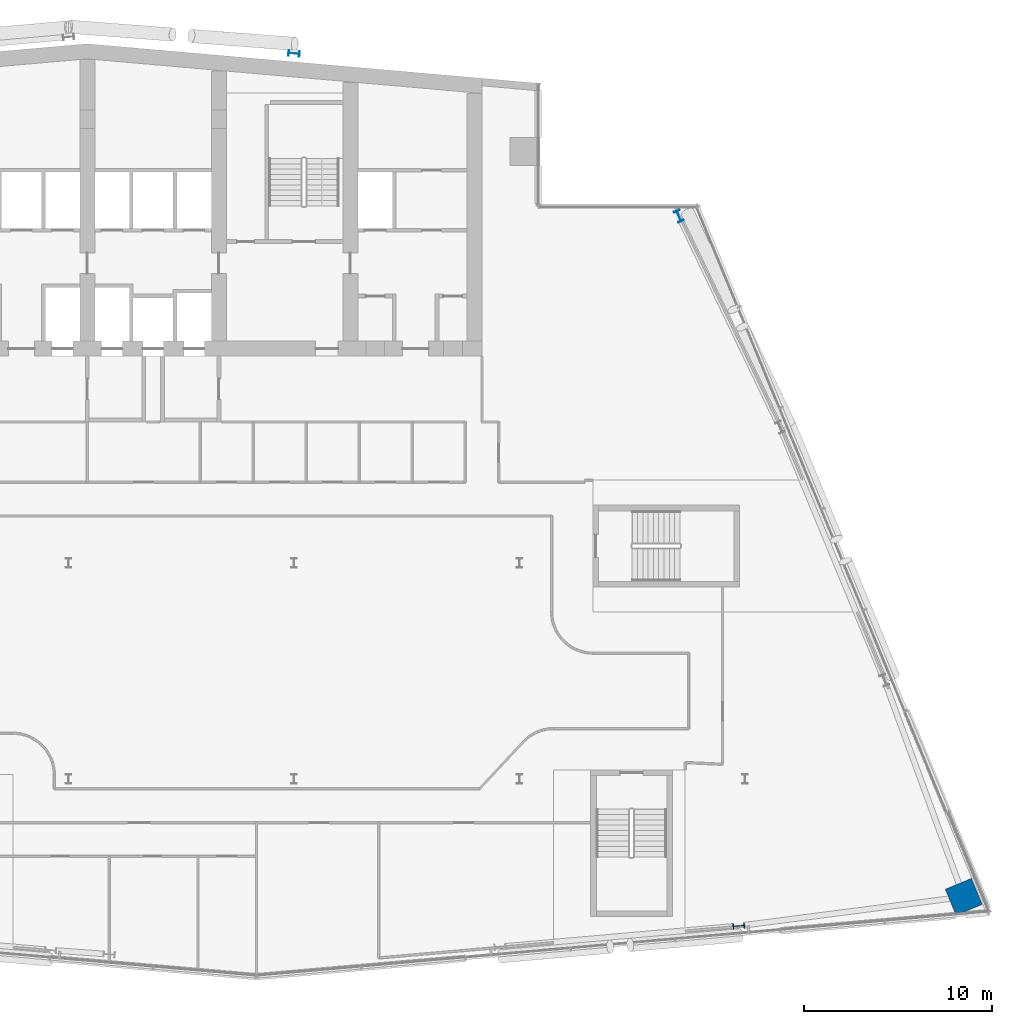
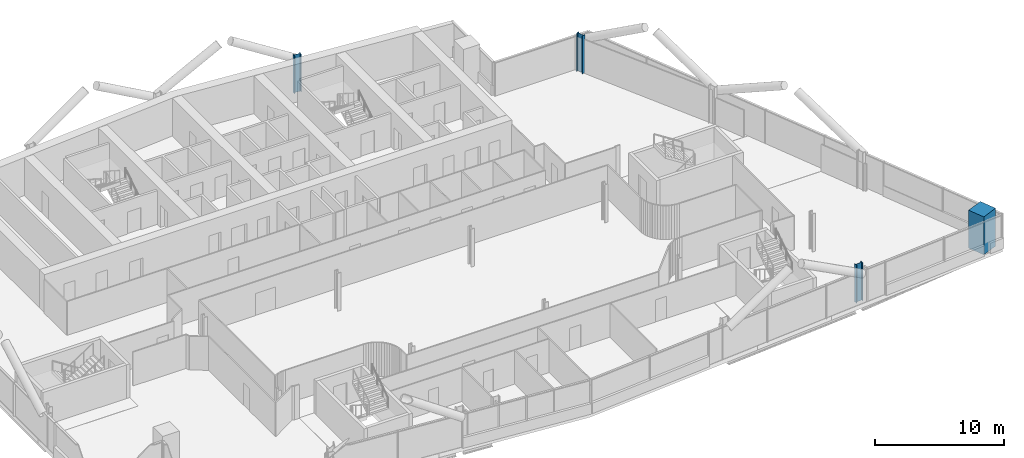
# One storey, part 4 of 29: 4 columns.
"""IFC4 building model written with IfcOpenShell, lengths in metres."""

from ifc_helpers import new_model, si_unit, direction, frame, origin, origin_2d, place, context, subcontext, project, spatial, rectangle, i_section, extrude, material, material_profile, profile_set, type_object, element, save


model = new_model("IFC4")

# Units and contexts
model_context = context("Model", 3, precision=1e-05, world=origin(), true_north=direction((0.0, 1.0)))
body_context = subcontext(model_context, "Body", "Model", "MODEL_VIEW")
ifc_project = project(units=[si_unit("LENGTHUNIT", "METRE"), si_unit("AREAUNIT", "SQUARE_METRE"), si_unit("VOLUMEUNIT", "CUBIC_METRE"), si_unit("PLANEANGLEUNIT", "RADIAN"), si_unit("MASSUNIT", "GRAM", prefix="KILO")], contexts=[model_context])

# Site, building, storey
site_placement = place(None, origin())
site = spatial("IfcSite", under=ifc_project, at=site_placement, CompositionType="ELEMENT")
building_placement = place(site_placement, origin())
building = spatial("IfcBuilding", under=site, at=building_placement, Name="Wharfspan Tower", CompositionType="ELEMENT")
storey_placement = place(building_placement, frame((0.0, 0.0, 155.5)))
storey = spatial("IfcBuildingStorey", under=building, at=storey_placement, Name="L37", CompositionType="ELEMENT", Elevation=155.5)

# Columns
ifc_material_1 = material(Name="Steel S355J2", Category="steel")
ifc_material_profile_1 = material_profile(ifc_material_1, i_section(OverallWidth=0.300049, OverallDepth=0.600098, WebThickness=0.015381, FlangeThickness=0.030029, FilletRadius=0.0271, at=origin_2d()))
ifc_profile_set_1 = profile_set([ifc_material_profile_1], Name="Steel S355J2")
column_type_1 = type_object("IfcColumnType", Name="Column HEB 600", PredefinedType="COLUMN", material=ifc_profile_set_1)
column_1_placement = place(storey_placement, frame((48.0, 50.112305, 0.0), z_axis=(0.0, 0.0, 1.0), x_axis=(0.087156, 0.996198, 0.0)))
element("IfcColumn", 1, at=column_1_placement, inside=storey, type_object=column_type_1, Name="Rear column R.3 L37", PredefinedType="COLUMN", context=body_context, shape_type="SweptSolid", body=[
    extrude(i_section(OverallWidth=0.300049, OverallDepth=0.600098, WebThickness=0.015381, FlangeThickness=0.030029, FilletRadius=0.0271, at=origin_2d()), origin(), (0.0, 0.0, 1.0), 3.600098),
])
ifc_material_profile_2 = material_profile(ifc_material_1, i_section(OverallWidth=0.304932, OverallDepth=0.620117, WebThickness=0.020996, FlangeThickness=0.040039, FilletRadius=0.0271, at=origin_2d()))
ifc_profile_set_2 = profile_set([ifc_material_profile_2], Name="Steel S355J2")
column_type_2 = type_object("IfcColumnType", Name="Column HEM 600", PredefinedType="COLUMN", material=ifc_profile_set_2)
for number, where, z_axis, x_axis, name in (
    (2, (71.661865, 3.684814, 0.0), (0.0, 0.0, 1.0), (0.087156, -0.996198, 0.0), "Perimeter column PS2.2 L37"),
    (3, (68.471924, 41.450439, 0.0), (0.0, 0.0, 1.0), (0.924325, 0.381602, 0.0), "Perimeter column PE.3 L37"),
):
    element("IfcColumn", number, at=place(storey_placement, frame(where, z_axis=z_axis, x_axis=x_axis)), inside=storey, type_object=column_type_2, Name=name, PredefinedType="COLUMN", context=body_context, shape_type="SweptSolid", body=[
        extrude(i_section(OverallWidth=0.304932, OverallDepth=0.620117, WebThickness=0.020996, FlangeThickness=0.040039, FilletRadius=0.0271, at=origin_2d()), origin(), (0.0, 0.0, 1.0), 3.600098),
    ])
ifc_material_2 = material(Name="Concrete C60/75", Category="concrete")
ifc_material_profile_3 = material_profile(ifc_material_2, rectangle(XDim=1.5, YDim=1.5, at=origin_2d()))
ifc_profile_set_3 = profile_set([ifc_material_profile_3], Name="Concrete C60/75")
column_type_3 = type_object("IfcColumnType", Name="Mega column 1500 C60/75", PredefinedType="COLUMN", material=ifc_profile_set_3)
column_2_placement = place(storey_placement, frame((83.632568, 5.230713, 0.0), z_axis=(0.0, 0.0, 1.0), x_axis=(-0.381602, 0.924325, 0.0)))
element("IfcColumn", 4, at=column_2_placement, inside=storey, type_object=column_type_3, Name="Mega column MC4 L37", PredefinedType="COLUMN", context=body_context, shape_type="SweptSolid", body=[
    extrude(rectangle(XDim=1.5, YDim=1.5, at=origin_2d()), origin(), (0.0, 0.0, 1.0), 3.600098),
])

save(model, "model.ifc")
